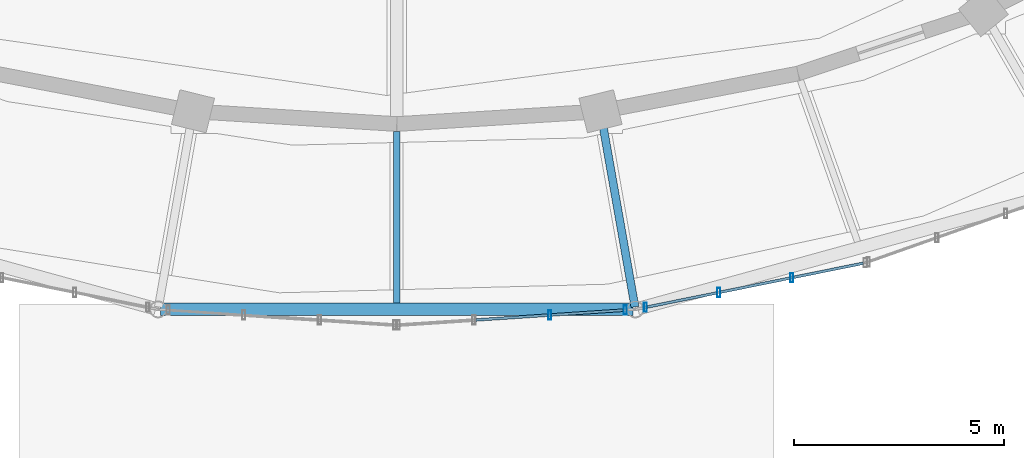
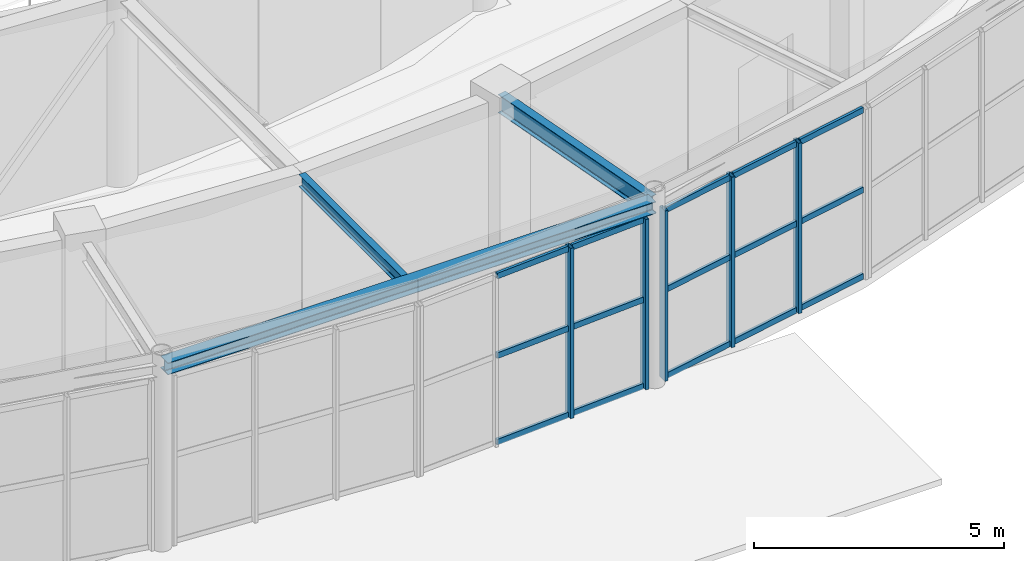
# One storey, part 34 of 100: 20 members, 3 beams, 2 elements without a shape of their own.
"""IFC4 building model written with IfcOpenShell, lengths in metres."""

from ifc_helpers import new_model, si_unit, direction, frame, origin, origin_2d, place, context, subcontext, project, spatial, hollow_rectangle, i_section, extrude, material, material_profile, profile_set, type_object, element, aggregate, save


model = new_model("IFC4")

# Units and contexts
model_context = context("Model", 3, precision=1e-05, world=origin(), true_north=direction((0.0, 1.0)))
body_context = subcontext(model_context, "Body", "Model", "MODEL_VIEW")
ifc_project = project(units=[si_unit("LENGTHUNIT", "METRE"), si_unit("AREAUNIT", "SQUARE_METRE"), si_unit("VOLUMEUNIT", "CUBIC_METRE"), si_unit("PLANEANGLEUNIT", "RADIAN"), si_unit("MASSUNIT", "GRAM", prefix="KILO")], contexts=[model_context])

# Site, building, storey
site_placement = place(None, origin())
site = spatial("IfcSite", under=ifc_project, at=site_placement, CompositionType="ELEMENT")
building_placement = place(site_placement, origin())
building = spatial("IfcBuilding", under=site, at=building_placement, Name="Tarnveldt Headland Concert Hall", CompositionType="ELEMENT")
storey_placement = place(building_placement, frame((0.0, 0.0, 4.800048828125)))
storey = spatial("IfcBuildingStorey", under=building, at=storey_placement, Name="L01", CompositionType="ELEMENT", Elevation=4.800048828125)

# Curtain wall, members
ifc_material_1 = material(Name="Marine-anodised aluminium EN AW-6063-T6", Category="aluminium")
curtain_wall_type = type_object("IfcCurtainWallType", Name="CW-F2", PredefinedType="NOTDEFINED", material=ifc_material_1)
curtain_wall_1_placement = place(storey_placement, origin())
curtain_wall_1 = element("IfcCurtainWall", 1, at=curtain_wall_1_placement, inside=storey, type_object=curtain_wall_type, Name="Curtain wall CW-L01-052", PredefinedType="NOTDEFINED")
ifc_material_profile_1 = material_profile(ifc_material_1, hollow_rectangle(XDim=0.074951171875, YDim=0.219970703125, WallThickness=0.0048828125, at=origin_2d()), Name="ALU MULLION 75x220x5", Category="aluminium")
ifc_profile_set_1 = profile_set([ifc_material_profile_1], Name="Marine-anodised aluminium EN AW-6063-T6")
member_type_1 = type_object("IfcMemberType", Name="ML-200", PredefinedType="MULLION", material=ifc_profile_set_1)
member_1_placement = place(storey_placement, frame((87.148681640625, 29.94140625, 0.0), z_axis=(0.0, 0.0, 1.0), x_axis=(1.0, 0.0, 0.0)))
member_1 = element("IfcMember", 2, at=member_1_placement, type_object=member_type_1, Name="Mullion CW-L01-052-3", PredefinedType="MULLION", context=body_context, shape_type="SweptSolid", body=[
    extrude(hollow_rectangle(XDim=0.074951171875, YDim=0.219970703125, WallThickness=0.0048828125, at=origin_2d()), origin(), (0.0, 0.0, 1.0), 4.159912109375),
])
member_2_placement = place(storey_placement, frame((88.952880859375, 30.060791015625, 0.0), z_axis=(0.0, 0.0, 1.0), x_axis=(1.0, 0.0, 0.0)))
member_2 = element("IfcMember", 3, at=member_2_placement, type_object=member_type_1, Name="Mullion CW-L01-052-4", PredefinedType="MULLION", context=body_context, shape_type="SweptSolid", body=[
    extrude(hollow_rectangle(XDim=0.074951171875, YDim=0.219970703125, WallThickness=0.0048828125, at=origin_2d()), origin(), (0.0, 0.0, 1.0), 4.159912109375),
])

curtain_wall_2_placement = place(storey_placement, origin())
curtain_wall_2 = element("IfcCurtainWall", 4, at=curtain_wall_2_placement, inside=storey, type_object=curtain_wall_type, Name="Curtain wall CW-L01-053", PredefinedType="NOTDEFINED")
member_3_placement = place(storey_placement, frame((89.43408203125, 30.125, 0.0), z_axis=(0.0, 0.0, 1.0), x_axis=(1.0, 0.0, 0.0)))
member_3 = element("IfcMember", 5, at=member_3_placement, type_object=member_type_1, Name="Mullion CW-L01-053-1", PredefinedType="MULLION", context=body_context, shape_type="SweptSolid", body=[
    extrude(hollow_rectangle(XDim=0.074951171875, YDim=0.219970703125, WallThickness=0.0048828125, at=origin_2d()), origin(), (0.0, 0.0, 1.0), 4.159912109375),
])
member_4_placement = place(storey_placement, frame((91.182373046875, 30.479248046875, 0.0), z_axis=(0.0, 0.0, 1.0), x_axis=(1.0, 0.0, 0.0)))
member_4 = element("IfcMember", 6, at=member_4_placement, type_object=member_type_1, Name="Mullion CW-L01-053-2", PredefinedType="MULLION", context=body_context, shape_type="SweptSolid", body=[
    extrude(hollow_rectangle(XDim=0.074951171875, YDim=0.219970703125, WallThickness=0.0048828125, at=origin_2d()), origin(), (0.0, 0.0, 1.0), 4.159912109375),
])
member_5_placement = place(storey_placement, frame((92.930908203125, 30.83349609375, 0.0), z_axis=(0.0, 0.0, 1.0), x_axis=(1.0, 0.0, 0.0)))
member_5 = element("IfcMember", 7, at=member_5_placement, type_object=member_type_1, Name="Mullion CW-L01-053-3", PredefinedType="MULLION", context=body_context, shape_type="SweptSolid", body=[
    extrude(hollow_rectangle(XDim=0.074951171875, YDim=0.219970703125, WallThickness=0.0048828125, at=origin_2d()), origin(), (0.0, 0.0, 1.0), 4.159912109375),
])

# Beams
ifc_material_2 = material(Name="Steel S355", Category="steel")
ifc_material_profile_2 = material_profile(ifc_material_2, i_section(OverallWidth=0.300048828125, OverallDepth=0.2900390625, WebThickness=0.008544921875, FlangeThickness=0.013916015625, FilletRadius=0.027099609375, at=origin_2d()), Name="HEA300", Category="steel")
ifc_profile_set_2 = profile_set([ifc_material_profile_2], Name="Steel S355")
beam_type_1 = type_object("IfcBeamType", Name="SB-HEA300", PredefinedType="SPANDREL", material=ifc_profile_set_2)
beam_1_placement = place(storey_placement, frame((77.8642578125, 30.076904296875, 4.39501953125), z_axis=(1.0, 0.0, 0.0), x_axis=(0.0, 1.0, 0.0)))
element("IfcBeam", 8, at=beam_1_placement, inside=storey, type_object=beam_type_1, Name="Framing beam L01-717", PredefinedType="SPANDREL", context=body_context, shape_type="SweptSolid", body=[
    extrude(i_section(OverallWidth=0.300048828125, OverallDepth=0.2900390625, WebThickness=0.008544921875, FlangeThickness=0.013916015625, FilletRadius=0.027099609375, at=origin_2d()), origin(), (0.0, 0.0, 1.0), 11.271484375),
])
ifc_material_profile_3 = material_profile(ifc_material_2, i_section(OverallWidth=0.14990234375, OverallDepth=0.300048828125, WebThickness=0.007080078125, FlangeThickness=0.0107421875, FilletRadius=0.014892578125, at=origin_2d()), Name="IPE300", Category="steel")
ifc_profile_set_3 = profile_set([ifc_material_profile_3], Name="Steel S355")
beam_type_2 = type_object("IfcBeamType", Name="SB-IPE300", PredefinedType="JOIST", material=ifc_profile_set_3)
beam_2_placement = place(storey_placement, frame((83.5, 34.324951171875, 4.389892578125), z_axis=(0.0, -1.0, 0.0), x_axis=(1.0, 0.0, 0.0)))
element("IfcBeam", 9, at=beam_2_placement, inside=storey, type_object=beam_type_2, Name="Framing beam L01-719", PredefinedType="JOIST", context=body_context, shape_type="SweptSolid", body=[
    extrude(i_section(OverallWidth=0.14990234375, OverallDepth=0.300048828125, WebThickness=0.007080078125, FlangeThickness=0.0107421875, FilletRadius=0.014892578125, at=origin_2d()), origin(), (0.0, 0.0, 1.0), 4.09814453125),
])
ifc_material_profile_4 = material_profile(ifc_material_2, i_section(OverallWidth=0.18994140625, OverallDepth=0.449951171875, WebThickness=0.009521484375, FlangeThickness=0.0146484375, FilletRadius=0.02099609375, at=origin_2d()), Name="IPE450", Category="steel")
ifc_profile_set_4 = profile_set([ifc_material_profile_4], Name="Steel S355")
beam_type_3 = type_object("IfcBeamType", Name="SB-IPE450", PredefinedType="BEAM", material=ifc_profile_set_4)
beam_3_placement = place(storey_placement, frame((88.368896484375, 34.764404296875, 4.31494140625), z_axis=(0.173708285572, -0.984797152475, 0.0), x_axis=(0.984797152475, 0.173708285572, 0.0)))
element("IfcBeam", 10, at=beam_3_placement, inside=storey, type_object=beam_type_3, Name="Framing beam L01-721", PredefinedType="BEAM", context=body_context, shape_type="SweptSolid", body=[
    extrude(i_section(OverallWidth=0.18994140625, OverallDepth=0.449951171875, WebThickness=0.009521484375, FlangeThickness=0.0146484375, FilletRadius=0.02099609375, at=origin_2d()), origin(), (0.0, 0.0, 1.0), 4.699951171875),
])

# Member
ifc_material_profile_5 = material_profile(ifc_material_1, hollow_rectangle(XDim=0.06494140625, YDim=0.139892578125, WallThickness=0.00390625, at=origin_2d()), Name="ALU TRANSOM 65x140x4", Category="aluminium")
ifc_profile_set_5 = profile_set([ifc_material_profile_5], Name="Marine-anodised aluminium EN AW-6063-T6")
member_type_2 = type_object("IfcMemberType", Name="TR-140", PredefinedType="MEMBER", material=ifc_profile_set_5)
member_6_placement = place(storey_placement, frame((85.393798828125, 29.8251953125, 0.050048828125), z_axis=(0.997819786405, 0.06599752918, 0.0), x_axis=(-0.06599752918, 0.997819786405, 0.0)))
member_6 = element("IfcMember", 11, at=member_6_placement, type_object=member_type_2, Name="Transom CW-L01-052-2-1", PredefinedType="MEMBER", context=body_context, shape_type="SweptSolid", body=[
    extrude(hollow_rectangle(XDim=0.06494140625, YDim=0.139892578125, WallThickness=0.00390625, at=origin_2d()), origin(), (0.0, 0.0, 1.0), 1.708984375),
])

member_7_placement = place(storey_placement, frame((85.393798828125, 29.8251953125, 2.1630859375), z_axis=(0.997819786405, 0.06599752918, 0.0), x_axis=(-0.06599752918, 0.997819786405, 0.0)))
member_7 = element("IfcMember", 12, at=member_7_placement, type_object=member_type_2, Name="Transom CW-L01-052-2-2", PredefinedType="MEMBER", context=body_context, shape_type="SweptSolid", body=[
    extrude(hollow_rectangle(XDim=0.06494140625, YDim=0.139892578125, WallThickness=0.00390625, at=origin_2d()), origin(), (0.0, 0.0, 1.0), 1.708984375),
])

member_8_placement = place(storey_placement, frame((85.393798828125, 29.8251953125, 4.10986328125), z_axis=(0.997819786405, 0.06599752918, 0.0), x_axis=(-0.06599752918, 0.997819786405, 0.0)))
member_8 = element("IfcMember", 13, at=member_8_placement, type_object=member_type_2, Name="Transom CW-L01-052-2-3", PredefinedType="MEMBER", context=body_context, shape_type="SweptSolid", body=[
    extrude(hollow_rectangle(XDim=0.06494140625, YDim=0.139892578125, WallThickness=0.00390625, at=origin_2d()), origin(), (0.0, 0.0, 1.0), 1.708984375),
])

member_9_placement = place(storey_placement, frame((87.197998046875, 29.944580078125, 0.050048828125), z_axis=(0.997820408488, 0.065988123207, 0.0), x_axis=(-0.065988123207, 0.997820408488, 0.0)))
member_9 = element("IfcMember", 14, at=member_9_placement, type_object=member_type_2, Name="Transom CW-L01-052-3-1", PredefinedType="MEMBER", context=body_context, shape_type="SweptSolid", body=[
    extrude(hollow_rectangle(XDim=0.06494140625, YDim=0.139892578125, WallThickness=0.00390625, at=origin_2d()), origin(), (0.0, 0.0, 1.0), 1.709228515625),
])

member_10_placement = place(storey_placement, frame((87.197998046875, 29.944580078125, 2.1630859375), z_axis=(0.997820408488, 0.065988123207, 0.0), x_axis=(-0.065988123207, 0.997820408488, 0.0)))
member_10 = element("IfcMember", 15, at=member_10_placement, type_object=member_type_2, Name="Transom CW-L01-052-3-2", PredefinedType="MEMBER", context=body_context, shape_type="SweptSolid", body=[
    extrude(hollow_rectangle(XDim=0.06494140625, YDim=0.139892578125, WallThickness=0.00390625, at=origin_2d()), origin(), (0.0, 0.0, 1.0), 1.709228515625),
])

member_11_placement = place(storey_placement, frame((87.197998046875, 29.944580078125, 4.10986328125), z_axis=(0.997820408488, 0.065988123207, 0.0), x_axis=(-0.065988123207, 0.997820408488, 0.0)))
member_11 = element("IfcMember", 16, at=member_11_placement, type_object=member_type_2, Name="Transom CW-L01-052-3-3", PredefinedType="MEMBER", context=body_context, shape_type="SweptSolid", body=[
    extrude(hollow_rectangle(XDim=0.06494140625, YDim=0.139892578125, WallThickness=0.00390625, at=origin_2d()), origin(), (0.0, 0.0, 1.0), 1.709228515625),
])

aggregate(curtain_wall_1, [member_1, member_2, member_6, member_7, member_8, member_9, member_10, member_11])

member_12_placement = place(storey_placement, frame((89.482666015625, 30.135009765625, 0.050048828125), z_axis=(0.980092754065, 0.19854015571, 0.0), x_axis=(-0.19854015571, 0.980092754065, 0.0)))
member_12 = element("IfcMember", 17, at=member_12_placement, type_object=member_type_2, Name="Transom CW-L01-053-1-1", PredefinedType="MEMBER", context=body_context, shape_type="SweptSolid", body=[
    extrude(hollow_rectangle(XDim=0.06494140625, YDim=0.139892578125, WallThickness=0.00390625, at=origin_2d()), origin(), (0.0, 0.0, 1.0), 1.6845703125),
])

member_13_placement = place(storey_placement, frame((89.482666015625, 30.135009765625, 2.1630859375), z_axis=(0.980092754065, 0.19854015571, 0.0), x_axis=(-0.19854015571, 0.980092754065, 0.0)))
member_13 = element("IfcMember", 18, at=member_13_placement, type_object=member_type_2, Name="Transom CW-L01-053-1-2", PredefinedType="MEMBER", context=body_context, shape_type="SweptSolid", body=[
    extrude(hollow_rectangle(XDim=0.06494140625, YDim=0.139892578125, WallThickness=0.00390625, at=origin_2d()), origin(), (0.0, 0.0, 1.0), 1.6845703125),
])

member_14_placement = place(storey_placement, frame((89.482666015625, 30.135009765625, 4.10986328125), z_axis=(0.980092754065, 0.19854015571, 0.0), x_axis=(-0.19854015571, 0.980092754065, 0.0)))
member_14 = element("IfcMember", 19, at=member_14_placement, type_object=member_type_2, Name="Transom CW-L01-053-1-3", PredefinedType="MEMBER", context=body_context, shape_type="SweptSolid", body=[
    extrude(hollow_rectangle(XDim=0.06494140625, YDim=0.139892578125, WallThickness=0.00390625, at=origin_2d()), origin(), (0.0, 0.0, 1.0), 1.6845703125),
])

member_15_placement = place(storey_placement, frame((91.23095703125, 30.489013671875, 0.050048828125), z_axis=(0.980070264474, 0.198651143198, 0.0), x_axis=(-0.198651143198, 0.980070264474, 0.0)))
member_15 = element("IfcMember", 20, at=member_15_placement, type_object=member_type_2, Name="Transom CW-L01-053-2-1", PredefinedType="MEMBER", context=body_context, shape_type="SweptSolid", body=[
    extrude(hollow_rectangle(XDim=0.06494140625, YDim=0.139892578125, WallThickness=0.00390625, at=origin_2d()), origin(), (0.0, 0.0, 1.0), 1.68505859375),
])

member_16_placement = place(storey_placement, frame((91.23095703125, 30.489013671875, 2.1630859375), z_axis=(0.980070264474, 0.198651143198, 0.0), x_axis=(-0.198651143198, 0.980070264474, 0.0)))
member_16 = element("IfcMember", 21, at=member_16_placement, type_object=member_type_2, Name="Transom CW-L01-053-2-2", PredefinedType="MEMBER", context=body_context, shape_type="SweptSolid", body=[
    extrude(hollow_rectangle(XDim=0.06494140625, YDim=0.139892578125, WallThickness=0.00390625, at=origin_2d()), origin(), (0.0, 0.0, 1.0), 1.68505859375),
])

member_17_placement = place(storey_placement, frame((91.23095703125, 30.489013671875, 4.10986328125), z_axis=(0.980070264474, 0.198651143198, 0.0), x_axis=(-0.198651143198, 0.980070264474, 0.0)))
member_17 = element("IfcMember", 22, at=member_17_placement, type_object=member_type_2, Name="Transom CW-L01-053-2-3", PredefinedType="MEMBER", context=body_context, shape_type="SweptSolid", body=[
    extrude(hollow_rectangle(XDim=0.06494140625, YDim=0.139892578125, WallThickness=0.00390625, at=origin_2d()), origin(), (0.0, 0.0, 1.0), 1.68505859375),
])

member_18_placement = place(storey_placement, frame((92.979248046875, 30.84326171875, 0.050048828125), z_axis=(0.980070264474, 0.198651143198, 0.0), x_axis=(-0.198651143198, 0.980070264474, 0.0)))
member_18 = element("IfcMember", 23, at=member_18_placement, type_object=member_type_2, Name="Transom CW-L01-053-3-1", PredefinedType="MEMBER", context=body_context, shape_type="SweptSolid", body=[
    extrude(hollow_rectangle(XDim=0.06494140625, YDim=0.139892578125, WallThickness=0.00390625, at=origin_2d()), origin(), (0.0, 0.0, 1.0), 1.68505859375),
])

member_19_placement = place(storey_placement, frame((92.979248046875, 30.84326171875, 2.1630859375), z_axis=(0.980070264474, 0.198651143198, 0.0), x_axis=(-0.198651143198, 0.980070264474, 0.0)))
member_19 = element("IfcMember", 24, at=member_19_placement, type_object=member_type_2, Name="Transom CW-L01-053-3-2", PredefinedType="MEMBER", context=body_context, shape_type="SweptSolid", body=[
    extrude(hollow_rectangle(XDim=0.06494140625, YDim=0.139892578125, WallThickness=0.00390625, at=origin_2d()), origin(), (0.0, 0.0, 1.0), 1.68505859375),
])

member_20_placement = place(storey_placement, frame((92.979248046875, 30.84326171875, 4.10986328125), z_axis=(0.980070264474, 0.198651143198, 0.0), x_axis=(-0.198651143198, 0.980070264474, 0.0)))
member_20 = element("IfcMember", 25, at=member_20_placement, type_object=member_type_2, Name="Transom CW-L01-053-3-3", PredefinedType="MEMBER", context=body_context, shape_type="SweptSolid", body=[
    extrude(hollow_rectangle(XDim=0.06494140625, YDim=0.139892578125, WallThickness=0.00390625, at=origin_2d()), origin(), (0.0, 0.0, 1.0), 1.68505859375),
])

aggregate(curtain_wall_2, [member_3, member_4, member_5, member_12, member_13, member_14, member_15, member_16, member_17, member_18, member_19, member_20])

save(model, "model.ifc")
